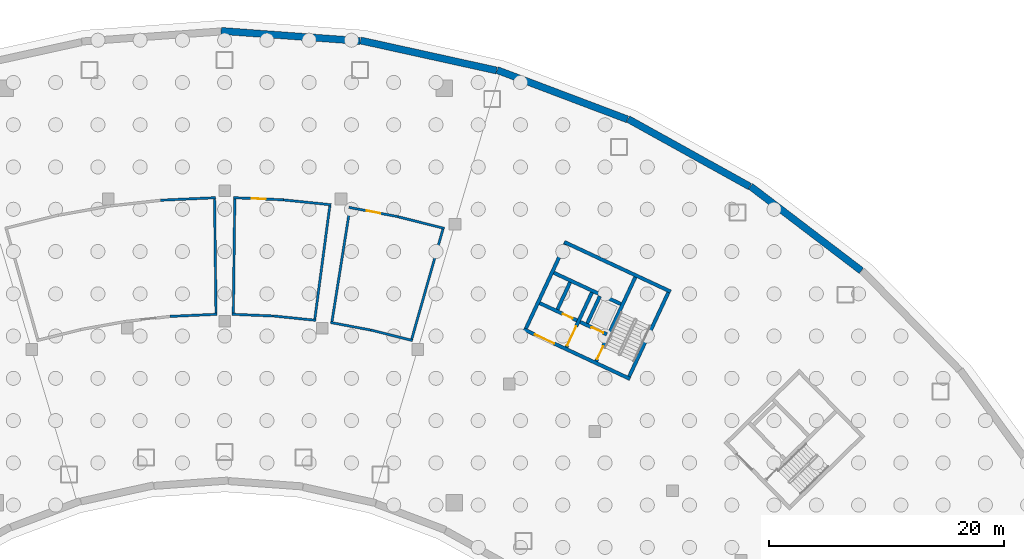
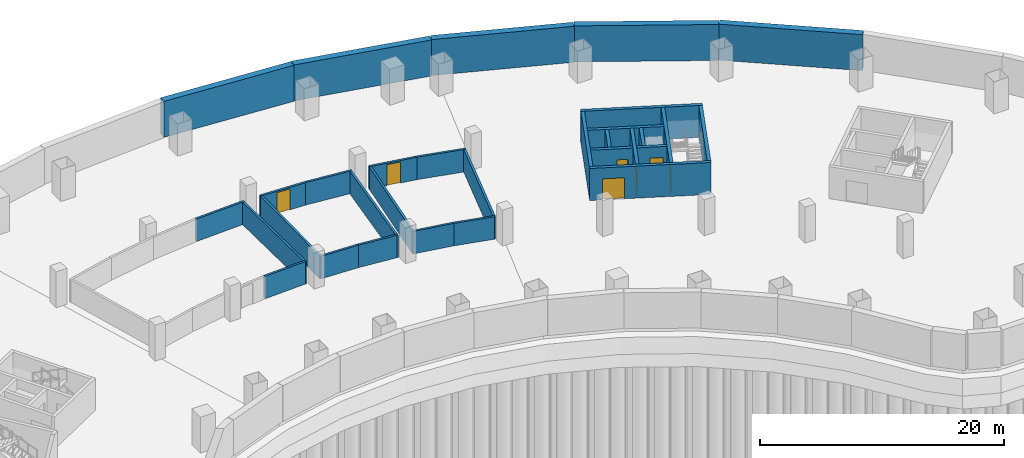
# One storey, part 7 of 10: 31 walls, 7 doors, 7 openings.
"""IFC4 building model written with IfcOpenShell, lengths in metres."""

from ifc_helpers import new_model, si_unit, direction, frame, frame_2d, origin, place, context, subcontext, project, spatial, rectangle, extrude, material, layer, layer_set, type_object, element, fill, save


model = new_model("IFC4")

# Units and contexts
model_context = context("Model", 3, precision=1e-05, world=origin(), true_north=direction((0.0, 1.0)))
body_context = subcontext(model_context, "Body", "Model", "MODEL_VIEW")
ifc_project = project(units=[si_unit("LENGTHUNIT", "METRE"), si_unit("AREAUNIT", "SQUARE_METRE"), si_unit("VOLUMEUNIT", "CUBIC_METRE"), si_unit("PLANEANGLEUNIT", "RADIAN"), si_unit("MASSUNIT", "GRAM", prefix="KILO")], contexts=[model_context])

# Site, building, storey
site_placement = place(None, origin())
site = spatial("IfcSite", under=ifc_project, at=site_placement, CompositionType="ELEMENT")
building_placement = place(site_placement, origin())
building = spatial("IfcBuilding", under=site, at=building_placement, Name="Tuul Gate Civic Tower", CompositionType="ELEMENT")
storey_placement = place(building_placement, frame((0.0, 0.0, -11.699951171875)))
storey = spatial("IfcBuildingStorey", under=building, at=storey_placement, Name="Basement 3", CompositionType="ELEMENT", Elevation=-11.699951171875)

# Walls
ifc_material_1 = material(Name="Concrete block", Category="concrete")
ifc_layer_1 = layer(ifc_material_1, 0.199951171875)
ifc_layer_set_1 = layer_set([ifc_layer_1], Name="Concrete block")
wall_type_1 = type_object("IfcWallType", Name="Basement room wall EI 120", PredefinedType="PARTITIONING", material=ifc_layer_set_1)
wall_1_placement = place(storey_placement, frame((-5.4560546875, 7.969970703125, 0.0), z_axis=(0.0, 0.0, 1.0), x_axis=(0.99895855138, 0.045626884883, 0.0)))
element("IfcWall", 1, at=wall_1_placement, inside=storey, type_object=wall_type_1, Name="Room wall", PredefinedType="PARTITIONING", context=body_context, shape_type="SweptSolid", body=[
    extrude(rectangle(XDim=4.697998046875, YDim=0.199951171875, at=frame_2d((2.34912109375, 0.0))), origin(), (0.0, 0.0, 1.0), 2.25),
])
wall_2_placement = place(storey_placement, frame((-0.864013671875, 8.27978515625, 0.0), z_axis=(0.0, 0.0, 1.0), x_axis=(0.012654163306, -0.99991993287, 0.0)))
element("IfcWall", 2, at=wall_2_placement, inside=storey, type_object=wall_type_1, Name="Room wall", PredefinedType="PARTITIONING", context=body_context, shape_type="SweptSolid", body=[
    extrude(rectangle(XDim=10.12890625, YDim=0.199951171875, at=frame_2d((5.064453125, 0.0))), origin(), (0.0, 0.0, 1.0), 2.25),
])
wall_3_placement = place(storey_placement, frame((-0.63720703125, -1.743896484375, 0.0), z_axis=(0.0, 0.0, 1.0), x_axis=(-0.998960181414, -0.045591182794, 0.0)))
element("IfcWall", 3, at=wall_3_placement, inside=storey, type_object=wall_type_1, Name="Room wall", PredefinedType="PARTITIONING", context=body_context, shape_type="SweptSolid", body=[
    extrude(rectangle(XDim=4.04296875, YDim=0.199951171875, at=frame_2d((2.021484375, 0.0))), origin(), (0.0, 0.0, 1.0), 2.25),
])

# Wall, opening, door
wall_4_placement = place(storey_placement, frame((0.762939453125, 8.18408203125, 0.0), z_axis=(0.0, 0.0, 1.0), x_axis=(0.999095892394, -0.042513501406, 0.0)))
wall_4 = element("IfcWall", 4, at=wall_4_placement, inside=storey, type_object=wall_type_1, Name="Room wall", PredefinedType="PARTITIONING", context=body_context, shape_type="SweptSolid", body=[
    extrude(rectangle(XDim=4.266845703125, YDim=0.199951171875, at=frame_2d((2.13330078125, 0.0))), origin(), (0.0, 0.0, 1.0), 2.25),
])
opening_1_placement = place(wall_4_placement, frame((1.533447265625, 0.0, 0.0)))
opening_1 = element("IfcOpeningElement", 5, at=opening_1_placement, cuts=wall_4, Name="Opening PD", PredefinedType="OPENING", context=body_context, shape_type="SweptSolid", body=[
    extrude(rectangle(XDim=1.199951171875, YDim=2.10009765625, at=frame_2d((0.60009765625, 1.050048828125))), frame((0.0, 0.10986328125, 0.0), z_axis=(0.0, -1.0, 0.0), x_axis=(1.0, 0.0, 0.0)), (0.0, 0.0, 1.0), 0.219970703125),
])
ifc_material_2 = material(Name="Steel door", Category="steel")
door_type_1 = type_object("IfcDoorType", Name="Plant room door", OperationType="DOUBLE_DOOR_SINGLE_SWING", PredefinedType="DOOR", material=ifc_material_2)
door_1_placement = place(opening_1_placement, origin())
door_1 = element("IfcDoor", 6, at=door_1_placement, inside=storey, type_object=door_type_1, Name="Door", OperationType="DOUBLE_DOOR_SINGLE_SWING", OverallHeight=2.10009765625, OverallWidth=1.199951171875, PredefinedType="DOOR", context=body_context, shape_type="SweptSolid", body=[
    extrude(rectangle(XDim=1.199951171875, YDim=2.10009765625, at=frame_2d((0.60009765625, 1.050048828125))), frame((0.0, 0.02490234375, 0.0), z_axis=(0.0, -1.0, 0.0), x_axis=(1.0, 0.0, 0.0)), (0.0, 0.0, 1.0), 0.050048828125),
])
fill(opening_1, door_1)

# Walls
wall_5_placement = place(storey_placement, frame((4.826416015625, 8.017333984375, 0.0), z_axis=(0.0, 0.0, 1.0), x_axis=(0.994788286123, -0.101962080172, 0.0)))
element("IfcWall", 7, at=wall_5_placement, inside=storey, type_object=wall_type_1, Name="Room wall", PredefinedType="PARTITIONING", context=body_context, shape_type="SweptSolid", body=[
    extrude(rectangle(XDim=4.266845703125, YDim=0.199951171875, at=frame_2d((2.13330078125, 0.0))), origin(), (0.0, 0.0, 1.0), 2.25),
])
wall_6_placement = place(storey_placement, frame((8.984619140625, 7.69140625, 0.0), z_axis=(0.0, 0.0, 1.0), x_axis=(-0.131557421539, -0.991308551783, 0.0)))
element("IfcWall", 8, at=wall_6_placement, inside=storey, type_object=wall_type_1, Name="Room wall", PredefinedType="PARTITIONING", context=body_context, shape_type="SweptSolid", body=[
    extrude(rectangle(XDim=10.12890625, YDim=0.199951171875, at=frame_2d((5.064453125, 0.0))), origin(), (0.0, 0.0, 1.0), 2.25),
])
wall_7_placement = place(storey_placement, frame((7.7646484375, -2.260498046875, 0.0), z_axis=(0.0, 0.0, 1.0), x_axis=(-0.994786105999, 0.101983348207, 0.0)))
element("IfcWall", 9, at=wall_7_placement, inside=storey, type_object=wall_type_1, Name="Room wall", PredefinedType="PARTITIONING", context=body_context, shape_type="SweptSolid", body=[
    extrude(rectangle(XDim=3.674560546875, YDim=0.199951171875, at=frame_2d((1.83740234375, 0.0))), origin(), (0.0, 0.0, 1.0), 2.25),
])
wall_8_placement = place(storey_placement, frame((4.30859375, -1.900146484375, 0.0), z_axis=(0.0, 0.0, 1.0), x_axis=(-0.999098420716, 0.042454042482, 0.0)))
element("IfcWall", 10, at=wall_8_placement, inside=storey, type_object=wall_type_1, Name="Room wall", PredefinedType="PARTITIONING", context=body_context, shape_type="SweptSolid", body=[
    extrude(rectangle(XDim=3.6748046875, YDim=0.199951171875, at=frame_2d((1.83740234375, 0.0))), origin(), (0.0, 0.0, 1.0), 2.25),
])
wall_9_placement = place(storey_placement, frame((0.73583984375, -1.848388671875, 0.0), z_axis=(0.0, 0.0, 1.0), x_axis=(0.012654163306, 0.99991993287, 0.0)))
element("IfcWall", 11, at=wall_9_placement, inside=storey, type_object=wall_type_1, Name="Room wall", PredefinedType="PARTITIONING", context=body_context, shape_type="SweptSolid", body=[
    extrude(rectangle(XDim=10.12890625, YDim=0.199951171875, at=frame_2d((5.064453125, 0.0))), origin(), (0.0, 0.0, 1.0), 2.25),
])

# Wall, opening, door
wall_10_placement = place(storey_placement, frame((10.580810546875, 7.3623046875, 0.0), z_axis=(0.0, 0.0, 1.0), x_axis=(0.982546793853, -0.18601558507, 0.0)))
wall_10 = element("IfcWall", 12, at=wall_10_placement, inside=storey, type_object=wall_type_1, Name="Room wall", PredefinedType="PARTITIONING", context=body_context, shape_type="SweptSolid", body=[
    extrude(rectangle(XDim=4.266845703125, YDim=0.199951171875, at=frame_2d((2.13330078125, 0.0))), origin(), (0.0, 0.0, 1.0), 2.25),
])
opening_2_placement = place(wall_10_placement, frame((1.533447265625, 0.0, 0.0)))
opening_2 = element("IfcOpeningElement", 13, at=opening_2_placement, cuts=wall_10, Name="Opening PD", PredefinedType="OPENING", context=body_context, shape_type="SweptSolid", body=[
    extrude(rectangle(XDim=1.199951171875, YDim=2.10009765625, at=frame_2d((0.60009765625, 1.050048828125))), frame((0.0, 0.10986328125, 0.0), z_axis=(0.0, -1.0, 0.0), x_axis=(1.0, 0.0, 0.0)), (0.0, 0.0, 1.0), 0.219970703125),
])
door_2_placement = place(opening_2_placement, origin())
door_2 = element("IfcDoor", 14, at=door_2_placement, inside=storey, type_object=door_type_1, Name="Door", OperationType="DOUBLE_DOOR_SINGLE_SWING", OverallHeight=2.10009765625, OverallWidth=1.199951171875, PredefinedType="DOOR", context=body_context, shape_type="SweptSolid", body=[
    extrude(rectangle(XDim=1.199951171875, YDim=2.10009765625, at=frame_2d((0.60009765625, 1.050048828125))), frame((0.0, 0.02490234375, 0.0), z_axis=(0.0, -1.0, 0.0), x_axis=(1.0, 0.0, 0.0)), (0.0, 0.0, 1.0), 0.050048828125),
])
fill(opening_2, door_2)

# Walls
wall_11_placement = place(storey_placement, frame((14.578125, 6.61181640625, 0.0), z_axis=(0.0, 0.0, 1.0), x_axis=(0.969706746941, -0.244272030607, 0.0)))
element("IfcWall", 15, at=wall_11_placement, inside=storey, type_object=wall_type_1, Name="Room wall", PredefinedType="PARTITIONING", context=body_context, shape_type="SweptSolid", body=[
    extrude(rectangle(XDim=4.2666015625, YDim=0.199951171875, at=frame_2d((2.13330078125, 0.0))), origin(), (0.0, 0.0, 1.0), 2.25),
])
wall_12_placement = place(storey_placement, frame((18.64599609375, 5.690185546875, 0.0), z_axis=(0.0, 0.0, 1.0), x_axis=(-0.273062164325, -0.961996390021, 0.0)))
element("IfcWall", 16, at=wall_12_placement, inside=storey, type_object=wall_type_1, Name="Room wall", PredefinedType="PARTITIONING", context=body_context, shape_type="SweptSolid", body=[
    extrude(rectangle(XDim=10.129150390625, YDim=0.199951171875, at=frame_2d((5.064453125, 0.0))), origin(), (0.0, 0.0, 1.0), 2.25),
])
for number, where, z_axis, x_axis, name in (
    (17, (16.00439453125, -3.982177734375, 0.0), (0.0, 0.0, 1.0), (-0.969699257813, 0.244301758889, 0.0), "Room wall"),
    (18, (12.63623046875, -3.127685546875, 0.0), (0.0, 0.0, 1.0), (-0.982542683543, 0.186037294693, 0.0), "Room wall"),
):
    element("IfcWall", number, at=place(storey_placement, frame(where, z_axis=z_axis, x_axis=x_axis)), inside=storey, type_object=wall_type_1, Name=name, PredefinedType="PARTITIONING", context=body_context, shape_type="SweptSolid", body=[
        extrude(rectangle(XDim=3.674560546875, YDim=0.199951171875, at=frame_2d((1.83740234375, 0.0))), origin(), (0.0, 0.0, 1.0), 2.25),
    ])
wall_13_placement = place(storey_placement, frame((9.1083984375, -2.5615234375, 0.0), z_axis=(0.0, 0.0, 1.0), x_axis=(0.156623491175, 0.987658383254, 0.0)))
element("IfcWall", 19, at=wall_13_placement, inside=storey, type_object=wall_type_1, Name="Room wall", PredefinedType="PARTITIONING", context=body_context, shape_type="SweptSolid", body=[
    extrude(rectangle(XDim=10.12890625, YDim=0.199951171875, at=frame_2d((5.064453125, 0.0))), origin(), (0.0, 0.0, 1.0), 2.25),
])

# Wall, opening, door
ifc_material_3 = material(Name="Concrete C50/60", Category="concrete")
ifc_layer_2 = layer(ifc_material_3, 0.300048828125)
ifc_layer_set_2 = layer_set([ifc_layer_2], Name="Concrete C50/60")
wall_type_2 = type_object("IfcWallType", Name="Core wall C50/60", PredefinedType="SHEAR", material=ifc_layer_set_2)
wall_14_placement = place(storey_placement, frame((34.5283203125, -7.25, 0.0), z_axis=(0.0, 0.0, 1.0), x_axis=(-0.906310338845, 0.422612789327, 0.0)))
wall_14 = element("IfcWall", 20, at=wall_14_placement, inside=storey, type_object=wall_type_2, Name="Core wall", PredefinedType="SHEAR", context=body_context, shape_type="SweptSolid", body=[
    extrude(rectangle(XDim=9.999755859375, YDim=0.300048828125, at=frame_2d((5.0, 0.0))), origin(), (0.0, 0.0, 1.0), 3.199951171875),
])
opening_3_placement = place(wall_14_placement, frame((7.125, 0.0, 0.0)))
opening_3 = element("IfcOpeningElement", 21, at=opening_3_placement, cuts=wall_14, Name="Opening LB-E3-LOBBY-1", PredefinedType="OPENING", context=body_context, shape_type="SweptSolid", body=[
    extrude(rectangle(XDim=1.800048828125, YDim=2.10009765625, at=frame_2d((0.89990234375, 1.050048828125))), frame((0.0, 0.16015625, 0.0), z_axis=(0.0, -1.0, 0.0), x_axis=(1.0, 0.0, 0.0)), (0.0, 0.0, 1.0), 0.320068359375),
])
ifc_material_4 = material(Name="Steel", Category="steel")
door_type_2 = type_object("IfcDoorType", Name="Lobby door", OperationType="DOUBLE_DOOR_SINGLE_SWING", PredefinedType="DOOR", material=ifc_material_4)
door_3_placement = place(opening_3_placement, origin())
door_3 = element("IfcDoor", 22, at=door_3_placement, inside=storey, type_object=door_type_2, Name="Lobby door E3-LOBBY", OperationType="DOUBLE_DOOR_SINGLE_SWING", OverallHeight=2.10009765625, OverallWidth=1.800048828125, PredefinedType="DOOR", context=body_context, shape_type="SweptSolid", body=[
    extrude(rectangle(XDim=1.800048828125, YDim=2.10009765625, at=frame_2d((0.89990234375, 1.050048828125))), frame((0.0, 0.02490234375, 0.0), z_axis=(0.0, -1.0, 0.0), x_axis=(1.0, 0.0, 0.0)), (0.0, 0.0, 1.0), 0.050048828125),
])
fill(opening_3, door_3)

wall_15_placement = place(storey_placement, frame((32.545654296875, -3.456787109375, 0.0), z_axis=(0.0, 0.0, 1.0), x_axis=(-0.906300357825, 0.42263419337, 0.0)))
wall_15 = element("IfcWall", 23, at=wall_15_placement, inside=storey, type_object=wall_type_2, Name="Core wall", PredefinedType="SHEAR", context=body_context, shape_type="SweptSolid", body=[
    extrude(rectangle(XDim=2.500244140625, YDim=0.300048828125, at=frame_2d((1.25, 0.0))), origin(), (0.0, 0.0, 1.0), 3.199951171875),
])
opening_4_placement = place(wall_15_placement, frame((0.324951171875, 0.0, 0.0)))
opening_4 = element("IfcOpeningElement", 24, at=opening_4_placement, cuts=wall_15, Name="Opening LD-FF-2", PredefinedType="OPENING", context=body_context, shape_type="SweptSolid", body=[
    extrude(rectangle(XDim=1.10009765625, YDim=2.10009765625, at=frame_2d((0.550048828125, 1.050048828125))), frame((0.0, 0.16015625, 0.0), z_axis=(0.0, -1.0, 0.0), x_axis=(1.0, 0.0, 0.0)), (0.0, 0.0, 1.0), 0.320068359375),
])
ifc_material_5 = material(Name="Stainless steel", Category="steel")
door_type_3 = type_object("IfcDoorType", Name="Landing door", OperationType="DOUBLE_DOOR_SLIDING", PredefinedType="DOOR", material=ifc_material_5)
door_4_placement = place(opening_4_placement, origin())
door_4 = element("IfcDoor", 25, at=door_4_placement, inside=storey, type_object=door_type_3, Name="Fire-fighting lift FF-2 landing door", OperationType="DOUBLE_DOOR_SLIDING", OverallHeight=2.10009765625, OverallWidth=1.10009765625, PredefinedType="DOOR", context=body_context, shape_type="SweptSolid", body=[
    extrude(rectangle(XDim=1.10009765625, YDim=2.10009765625, at=frame_2d((0.550048828125, 1.050048828125))), frame((0.0, 0.02490234375, 0.0), z_axis=(0.0, -1.0, 0.0), x_axis=(1.0, 0.0, 0.0)), (0.0, 0.0, 1.0), 0.050048828125),
])
fill(opening_4, door_4)

wall_16_placement = place(storey_placement, frame((30.0078125, -2.2734375, 0.0), z_axis=(0.0, 0.0, 1.0), x_axis=(-0.90630071767, 0.422633421716, 0.0)))
wall_16 = element("IfcWall", 26, at=wall_16_placement, inside=storey, type_object=wall_type_2, Name="Core wall", PredefinedType="SHEAR", context=body_context, shape_type="SweptSolid", body=[
    extrude(rectangle(XDim=3.5, YDim=0.300048828125, at=frame_2d((1.75, 0.0))), origin(), (0.0, 0.0, 1.0), 3.199951171875),
])
opening_5_placement = place(wall_16_placement, frame((0.425048828125, 0.0, 0.0)))
opening_5 = element("IfcOpeningElement", 27, at=opening_5_placement, cuts=wall_16, Name="Opening FB-E3A2", PredefinedType="OPENING", context=body_context, shape_type="SweptSolid", body=[
    extrude(rectangle(XDim=0.89990234375, YDim=2.10009765625, at=frame_2d((0.449951171875, 1.050048828125))), frame((0.0, 0.16015625, 0.0), z_axis=(0.0, -1.0, 0.0), x_axis=(1.0, 0.0, 0.0)), (0.0, 0.0, 1.0), 0.320068359375),
])
ifc_material_6 = material(Name="Steel", Category="steel")
door_type_4 = type_object("IfcDoorType", Name="Store door", OperationType="NOTDEFINED", PredefinedType="DOOR", material=ifc_material_6)
door_5_placement = place(opening_5_placement, frame((0.89990234375, 0.0, 0.0), z_axis=(0.0, 0.0, 1.0), x_axis=(-1.0, 0.0, 0.0)))
door_5 = element("IfcDoor", 28, at=door_5_placement, inside=storey, type_object=door_type_4, Name="Store door E3A2", OperationType="SINGLE_SWING_RIGHT", OverallHeight=2.10009765625, OverallWidth=0.89990234375, PredefinedType="DOOR", context=body_context, shape_type="SweptSolid", body=[
    extrude(rectangle(XDim=0.89990234375, YDim=2.10009765625, at=frame_2d((0.449951171875, 1.050048828125))), frame((0.0, 0.02490234375, 0.0), z_axis=(0.0, -1.0, 0.0), x_axis=(1.0, 0.0, 0.0)), (0.0, 0.0, 1.0), 0.050048828125),
])
fill(opening_5, door_5)

# Walls
wall_17_placement = place(storey_placement, frame((33.75, -0.873779296875, 0.0), z_axis=(0.0, 0.0, 1.0), x_axis=(-0.906300917592, 0.422632992999, 0.0)))
element("IfcWall", 29, at=wall_17_placement, inside=storey, type_object=wall_type_2, Name="Core wall", PredefinedType="SHEAR", context=body_context, shape_type="SweptSolid", body=[
    extrude(rectangle(XDim=6.300048828125, YDim=0.300048828125, at=frame_2d((3.14990234375, 0.0))), origin(), (0.0, 0.0, 1.0), 3.199951171875),
])
wall_18_placement = place(storey_placement, frame((37.993408203125, 0.181884765625, 0.0), z_axis=(0.0, 0.0, 1.0), x_axis=(-0.906310338845, 0.422612789327, 0.0)))
element("IfcWall", 30, at=wall_18_placement, inside=storey, type_object=wall_type_2, Name="Core wall", PredefinedType="SHEAR", context=body_context, shape_type="SweptSolid", body=[
    extrude(rectangle(XDim=9.999755859375, YDim=0.300048828125, at=frame_2d((5.0, 0.0))), origin(), (0.0, 0.0, 1.0), 3.199951171875),
])
wall_19_placement = place(storey_placement, frame((34.455810546875, -7.05078125, 0.0), z_axis=(0.0, 0.0, 1.0), x_axis=(0.422570768258, 0.906329932096, 0.0)))
element("IfcWall", 31, at=wall_19_placement, inside=storey, type_object=wall_type_2, Name="Core wall", PredefinedType="SHEAR", context=body_context, shape_type="SweptSolid", body=[
    extrude(rectangle(XDim=7.900146484375, YDim=0.300048828125, at=frame_2d((3.9501953125, 0.0))), origin(), (0.0, 0.0, 1.0), 3.199951171875),
])

# Wall, opening, door
wall_20_placement = place(storey_placement, frame((31.646240234375, -5.740478515625, 0.0), z_axis=(0.0, 0.0, 1.0), x_axis=(0.422582604137, 0.906324413596, 0.0)))
wall_20 = element("IfcWall", 32, at=wall_20_placement, inside=storey, type_object=wall_type_2, Name="Core wall", PredefinedType="SHEAR", context=body_context, shape_type="SweptSolid", body=[
    extrude(rectangle(XDim=7.89990234375, YDim=0.300048828125, at=frame_2d((3.949951171875, 0.0))), origin(), (0.0, 0.0, 1.0), 3.199951171875),
])
opening_6_placement = place(wall_20_placement, frame((0.199951171875, 0.0, 0.0)))
opening_6 = element("IfcOpeningElement", 33, at=opening_6_placement, cuts=wall_20, Name="Opening SD-ST-4", PredefinedType="OPENING", context=body_context, shape_type="SweptSolid", body=[
    extrude(rectangle(XDim=1.199951171875, YDim=2.10009765625, at=frame_2d((0.60009765625, 1.050048828125))), frame((0.0, 0.16015625, 0.0), z_axis=(0.0, -1.0, 0.0), x_axis=(1.0, 0.0, 0.0)), (0.0, 0.0, 1.0), 0.320068359375),
])
ifc_material_7 = material(Name="Steel", Category="steel")
door_type_5 = type_object("IfcDoorType", Name="Stair door", OperationType="NOTDEFINED", PredefinedType="DOOR", material=ifc_material_7)
door_6_placement = place(opening_6_placement, origin())
door_6 = element("IfcDoor", 34, at=door_6_placement, inside=storey, type_object=door_type_5, Name="Stair door ST-4", OperationType="SINGLE_SWING_LEFT", OverallHeight=2.10009765625, OverallWidth=1.199951171875, PredefinedType="DOOR", context=body_context, shape_type="SweptSolid", body=[
    extrude(rectangle(XDim=1.199951171875, YDim=2.10009765625, at=frame_2d((0.60009765625, 1.050048828125))), frame((0.0, 0.02490234375, 0.0), z_axis=(0.0, -1.0, 0.0), x_axis=(1.0, 0.0, 0.0)), (0.0, 0.0, 1.0), 0.050048828125),
])
fill(opening_6, door_6)

# Wall
wall_21_placement = place(storey_placement, frame((30.886962890625, -2.517822265625, 0.0), z_axis=(0.0, 0.0, 1.0), x_axis=(0.422612891016, 0.906310291427, 0.0)))
element("IfcWall", 35, at=wall_21_placement, inside=storey, type_object=wall_type_2, Name="Core wall", PredefinedType="SHEAR", context=body_context, shape_type="SweptSolid", body=[
    extrude(rectangle(XDim=2.550048828125, YDim=0.300048828125, at=frame_2d((1.27490234375, 0.0))), origin(), (0.0, 0.0, 1.0), 3.199951171875),
])

# Wall, opening, door
wall_22_placement = place(storey_placement, frame((29.108642578125, -4.557373046875, 0.0), z_axis=(0.0, 0.0, 1.0), x_axis=(0.422566235356, 0.90633204552, 0.0)))
wall_22 = element("IfcWall", 36, at=wall_22_placement, inside=storey, type_object=wall_type_2, Name="Core wall", PredefinedType="SHEAR", context=body_context, shape_type="SweptSolid", body=[
    extrude(rectangle(XDim=5.150146484375, YDim=0.300048828125, at=frame_2d((2.5751953125, 0.0))), origin(), (0.0, 0.0, 1.0), 3.199951171875),
])
opening_7_placement = place(wall_22_placement, frame((0.175048828125, 0.0, 0.0)))
opening_7 = element("IfcOpeningElement", 37, at=opening_7_placement, cuts=wall_22, Name="Opening LB-E3-FLOBBY-1", PredefinedType="OPENING", context=body_context, shape_type="SweptSolid", body=[
    extrude(rectangle(XDim=1.800048828125, YDim=2.10009765625, at=frame_2d((0.89990234375, 1.050048828125))), frame((0.0, 0.16015625, 0.0), z_axis=(0.0, -1.0, 0.0), x_axis=(1.0, 0.0, 0.0)), (0.0, 0.0, 1.0), 0.320068359375),
])
door_7_placement = place(opening_7_placement, frame((1.800048828125, 0.0, 0.0), z_axis=(0.0, 0.0, 1.0), x_axis=(-1.0, 0.0, 0.0)))
door_7 = element("IfcDoor", 38, at=door_7_placement, inside=storey, type_object=door_type_2, Name="Lobby door E3-FLOBBY", OperationType="DOUBLE_DOOR_SINGLE_SWING", OverallHeight=2.10009765625, OverallWidth=1.800048828125, PredefinedType="DOOR", context=body_context, shape_type="SweptSolid", body=[
    extrude(rectangle(XDim=1.800048828125, YDim=2.10009765625, at=frame_2d((0.900146484375, 1.050048828125))), frame((0.0, 0.02490234375, 0.0), z_axis=(0.0, -1.0, 0.0), x_axis=(1.0, 0.0, 0.0)), (0.0, 0.0, 1.0), 0.050048828125),
])
fill(opening_7, door_7)

# Walls
wall_23_placement = place(storey_placement, frame((28.349365234375, -1.33447265625, 0.0), z_axis=(0.0, 0.0, 1.0), x_axis=(0.422612891016, 0.906310291427, 0.0)))
element("IfcWall", 39, at=wall_23_placement, inside=storey, type_object=wall_type_2, Name="Core wall", PredefinedType="SHEAR", context=body_context, shape_type="SweptSolid", body=[
    extrude(rectangle(XDim=2.550048828125, YDim=0.300048828125, at=frame_2d((1.27490234375, 0.0))), origin(), (0.0, 0.0, 1.0), 3.199951171875),
])
wall_24_placement = place(storey_placement, frame((25.66455078125, -2.951416015625, 0.0), z_axis=(0.0, 0.0, 1.0), x_axis=(0.422582604137, 0.906324413596, 0.0)))
element("IfcWall", 40, at=wall_24_placement, inside=storey, type_object=wall_type_2, Name="Core wall", PredefinedType="SHEAR", context=body_context, shape_type="SweptSolid", body=[
    extrude(rectangle(XDim=7.89990234375, YDim=0.300048828125, at=frame_2d((3.949951171875, 0.0))), origin(), (0.0, 0.0, 1.0), 3.199951171875),
])
ifc_material_8 = material(Name="Concrete C40/50", Category="concrete")
ifc_layer_3 = layer(ifc_material_8, 0.60009765625)
ifc_layer_set_3 = layer_set([ifc_layer_3], Name="Concrete C40/50")
wall_type_3 = type_object("IfcWallType", Name="STR-BASEMENT-WALL-600", PredefinedType="SOLIDWALL", material=ifc_layer_set_3)
for number, where, z_axis, x_axis, name in (
    (41, (54.231201171875, 1.966796875, 0.0), (0.0, 0.0, 1.0), (-0.795598970655, 0.605823635964, 0.0), "Retaining wall"),
    (42, (44.7353515625, 9.135498046875, 0.0), (0.0, 0.0, 1.0), (-0.874610355662, 0.484826490375, 0.0), "Retaining wall"),
):
    element("IfcWall", number, at=place(storey_placement, frame(where, z_axis=z_axis, x_axis=x_axis)), inside=storey, type_object=wall_type_3, Name=name, PredefinedType="SOLIDWALL", context=body_context, shape_type="SweptSolid", body=[
        extrude(rectangle(XDim=11.85986328125, YDim=0.60009765625, at=frame_2d((5.929931640625, 0.0))), origin(), (0.0, 0.0, 1.0), 3.599853515625),
    ])
wall_25_placement = place(storey_placement, frame((34.305419921875, 14.86083984375, 0.0), z_axis=(0.0, 0.0, 1.0), x_axis=(-0.935370574705, 0.353669178719, 0.0)))
element("IfcWall", 43, at=wall_25_placement, inside=storey, type_object=wall_type_3, Name="Retaining wall", PredefinedType="SOLIDWALL", context=body_context, shape_type="SweptSolid", body=[
    extrude(rectangle(XDim=11.859375, YDim=0.60009765625, at=frame_2d((5.9296875, 0.0))), origin(), (0.0, 0.0, 1.0), 3.599853515625),
])
wall_26_placement = place(storey_placement, frame((23.159423828125, 19.0224609375, 0.0), z_axis=(0.0, 0.0, 1.0), x_axis=(-0.976553755783, 0.215273691068, 0.0)))
element("IfcWall", 44, at=wall_26_placement, inside=storey, type_object=wall_type_3, Name="Retaining wall", PredefinedType="SOLIDWALL", context=body_context, shape_type="SweptSolid", body=[
    extrude(rectangle(XDim=11.8603515625, YDim=0.60009765625, at=frame_2d((5.93017578125, 0.0))), origin(), (0.0, 0.0, 1.0), 3.599853515625),
])
wall_27_placement = place(storey_placement, frame((11.529296875, 21.53564453125, 0.0), z_axis=(0.0, 0.0, 1.0), x_axis=(-0.997386086205, 0.072256453304, 0.0)))
element("IfcWall", 45, at=wall_27_placement, inside=storey, type_object=wall_type_3, Name="Retaining wall", PredefinedType="SOLIDWALL", context=body_context, shape_type="SweptSolid", body=[
    extrude(rectangle(XDim=11.859619140625, YDim=0.60009765625, at=frame_2d((5.9296875, 0.0))), origin(), (0.0, 0.0, 1.0), 3.599853515625),
])

save(model, "model.ifc")
